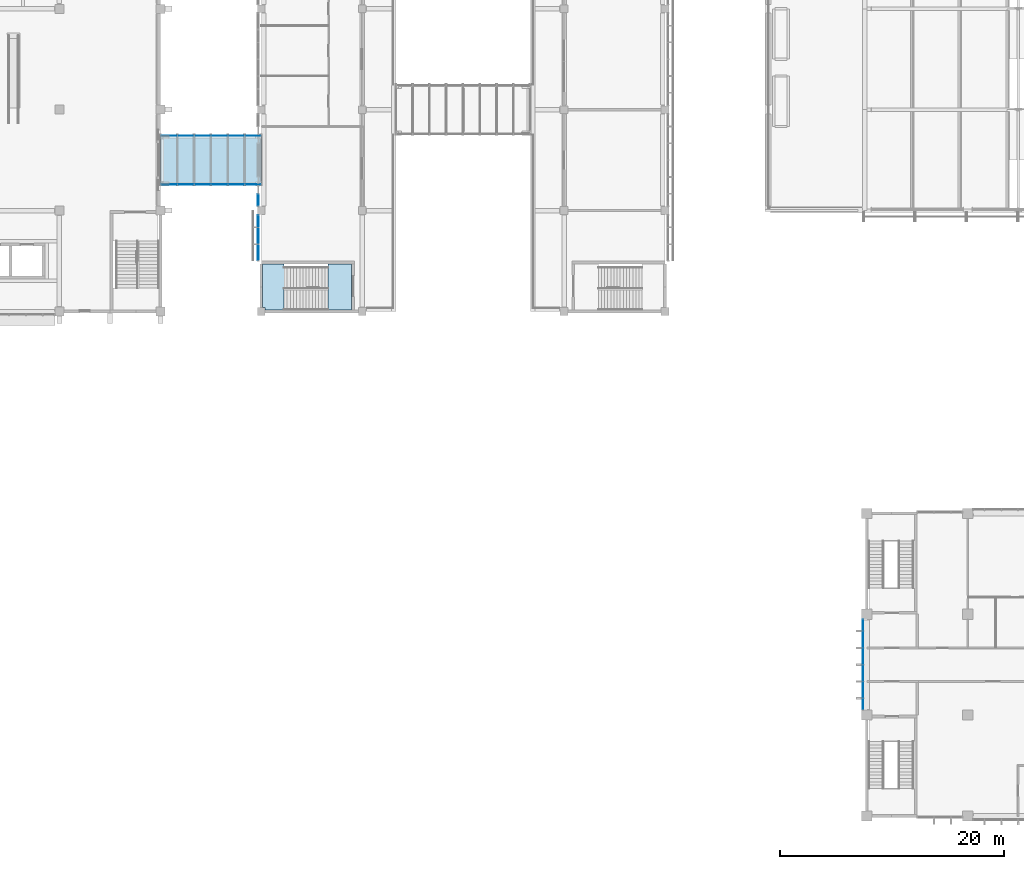
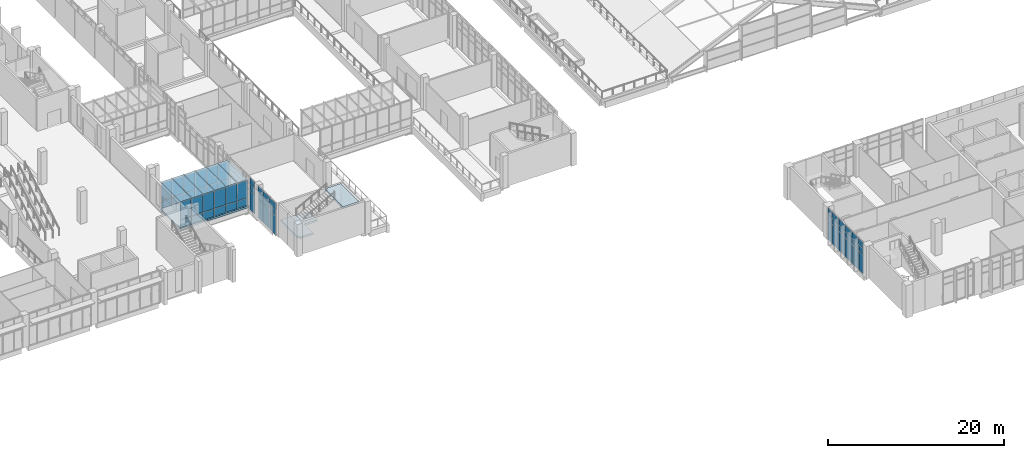
# One storey, part 52 of 106: 60 plates, 3 slabs, 7 elements without a shape of their own.
"""IFC4 building model written with IfcOpenShell, lengths in metres."""

from ifc_helpers import new_model, si_unit, direction, frame, origin, origin_2d, place, context, subcontext, project, spatial, polyline, rectangle, outline, extrude, material, layer, layer_set, type_object, element, aggregate, save


model = new_model("IFC4")

# Units and contexts
model_context = context("Model", 3, precision=1e-05, world=origin(), true_north=direction((0.0, 1.0)))
body_context = subcontext(model_context, "Body", "Model", "MODEL_VIEW")
ifc_project = project(units=[si_unit("LENGTHUNIT", "METRE"), si_unit("AREAUNIT", "SQUARE_METRE"), si_unit("VOLUMEUNIT", "CUBIC_METRE"), si_unit("PLANEANGLEUNIT", "RADIAN"), si_unit("MASSUNIT", "GRAM", prefix="KILO")], contexts=[model_context])

# Site, building, storey
site_placement = place(None, origin())
site = spatial("IfcSite", under=ifc_project, at=site_placement, CompositionType="ELEMENT")
building_placement = place(site_placement, origin())
building = spatial("IfcBuilding", under=site, at=building_placement, Name="Guidao Yard Department Store", CompositionType="ELEMENT")
storey_placement = place(building_placement, frame((0.0, 0.0, 10.5)))
storey = spatial("IfcBuildingStorey", under=building, at=storey_placement, Name="L02", CompositionType="ELEMENT", Elevation=10.5)

# Slab
ifc_material_1 = material(Name="Concrete C35", Category="concrete")
ifc_layer_1 = layer(ifc_material_1, 0.25)
ifc_layer_set_1 = layer_set([ifc_layer_1], Name="Bridge deck slab 250 C35")
slab_type_1 = type_object("IfcSlabType", Name="Bridge deck slab 250 C35", PredefinedType="FLOOR", material=ifc_layer_set_1)
slab_1_placement = place(storey_placement, frame((0.0, 0.0, -0.25)))
element("IfcSlab", 1, at=slab_1_placement, inside=storey, type_object=slab_type_1, Name="Slab BR03", PredefinedType="FLOOR", context=body_context, shape_type="SweptSolid", body=[
    extrude(outline(polyline([(63.014892578125, 56.25), (63.014892578125, 60.75), (72.0, 60.75), (72.0, 56.25), (63.014892578125, 56.25)])), origin(), (0.0, 0.0, 1.0), 0.25),
])

# Curtain wall, plates
ifc_material_2 = material(Name="Aluminium and glass", Category="aluminium")
ifc_layer_2 = layer(ifc_material_2, 0.159912109375)
ifc_layer_set_2 = layer_set([ifc_layer_2], Name="Bridge glazing CW5 1500 module")
curtain_wall_type_1 = type_object("IfcCurtainWallType", Name="Bridge glazing CW5 1500 module", PredefinedType="NOTDEFINED", material=ifc_layer_set_2)
curtain_wall_1_placement = place(storey_placement, origin())
curtain_wall_1 = element("IfcCurtainWall", 2, at=curtain_wall_1_placement, inside=storey, type_object=curtain_wall_type_1, Name="Bridge roof glazing BR03", PredefinedType="NOTDEFINED")
ifc_material_3 = material(Name="Laminated glass", Category="glass")
ifc_layer_3 = layer(ifc_material_3, 0.017578125)
ifc_layer_set_3 = layer_set([ifc_layer_3], Name="Bridge roof glass BG1 laminated 8+8 fritted")
plate_type_1 = type_object("IfcPlateType", Name="Bridge roof glass BG1 laminated 8+8 fritted", PredefinedType="CURTAIN_PANEL", material=ifc_layer_set_3)
plate_1_placement = place(storey_placement, frame((63.764892578125, 58.5, 3.671142578125), z_axis=(0.0, 0.0, 1.0), x_axis=(1.0, 0.0, 0.0)))
plate_1 = element("IfcPlate", 3, at=plate_1_placement, type_object=plate_type_1, Name="Bridge roof glass BR03", PredefinedType="CURTAIN_PANEL", context=body_context, shape_type="SweptSolid", body=[
    extrude(rectangle(XDim=1.43994140625, YDim=4.5, at=origin_2d()), origin(), (0.0, 0.0, 1.0), 0.017578125),
])
plate_2_placement = place(storey_placement, frame((65.264892578125, 58.5, 3.671142578125), z_axis=(0.0, 0.0, 1.0), x_axis=(1.0, 0.0, 0.0)))
plate_2 = element("IfcPlate", 4, at=plate_2_placement, type_object=plate_type_1, Name="Bridge roof glass BR03", PredefinedType="CURTAIN_PANEL", context=body_context, shape_type="SweptSolid", body=[
    extrude(rectangle(XDim=1.43994140625, YDim=4.5, at=origin_2d()), origin(), (0.0, 0.0, 1.0), 0.017578125),
])
plate_3_placement = place(storey_placement, frame((66.764892578125, 58.5, 3.671142578125), z_axis=(0.0, 0.0, 1.0), x_axis=(1.0, 0.0, 0.0)))
plate_3 = element("IfcPlate", 5, at=plate_3_placement, type_object=plate_type_1, Name="Bridge roof glass BR03", PredefinedType="CURTAIN_PANEL", context=body_context, shape_type="SweptSolid", body=[
    extrude(rectangle(XDim=1.43994140625, YDim=4.5, at=origin_2d()), origin(), (0.0, 0.0, 1.0), 0.017578125),
])
plate_4_placement = place(storey_placement, frame((68.264892578125, 58.5, 3.671142578125), z_axis=(0.0, 0.0, 1.0), x_axis=(1.0, 0.0, 0.0)))
plate_4 = element("IfcPlate", 6, at=plate_4_placement, type_object=plate_type_1, Name="Bridge roof glass BR03", PredefinedType="CURTAIN_PANEL", context=body_context, shape_type="SweptSolid", body=[
    extrude(rectangle(XDim=1.43994140625, YDim=4.5, at=origin_2d()), origin(), (0.0, 0.0, 1.0), 0.017578125),
])
plate_5_placement = place(storey_placement, frame((69.764892578125, 58.5, 3.671142578125), z_axis=(0.0, 0.0, 1.0), x_axis=(1.0, 0.0, 0.0)))
plate_5 = element("IfcPlate", 7, at=plate_5_placement, type_object=plate_type_1, Name="Bridge roof glass BR03", PredefinedType="CURTAIN_PANEL", context=body_context, shape_type="SweptSolid", body=[
    extrude(rectangle(XDim=1.43994140625, YDim=4.5, at=origin_2d()), origin(), (0.0, 0.0, 1.0), 0.017578125),
])
plate_6_placement = place(storey_placement, frame((71.257568359375, 58.5, 3.671142578125), z_axis=(0.0, 0.0, 1.0), x_axis=(1.0, 0.0, 0.0)))
plate_6 = element("IfcPlate", 8, at=plate_6_placement, type_object=plate_type_1, Name="Bridge roof glass BR03", PredefinedType="CURTAIN_PANEL", context=body_context, shape_type="SweptSolid", body=[
    extrude(rectangle(XDim=1.425048828125, YDim=4.5, at=origin_2d()), origin(), (0.0, 0.0, 1.0), 0.017578125),
])
aggregate(curtain_wall_1, [plate_1, plate_2, plate_3, plate_4, plate_5, plate_6])

ifc_material_4 = material(Name="Aluminium and glass", Category="aluminium")
ifc_layer_4 = layer(ifc_material_4, 0.159912109375)
ifc_layer_set_4 = layer_set([ifc_layer_4], Name="Shopfront curtain wall CW1 1500 module")
curtain_wall_type_2 = type_object("IfcCurtainWallType", Name="Shopfront curtain wall CW1 1500 module", PredefinedType="NOTDEFINED", material=ifc_layer_set_4)
curtain_wall_2_placement = place(storey_placement, origin())
curtain_wall_2 = element("IfcCurtainWall", 9, at=curtain_wall_2_placement, inside=storey, type_object=curtain_wall_type_2, Name="Arcade shop front", PredefinedType="NOTDEFINED")
ifc_material_5 = material(Name="Aluminium 6063-T5 faced insulated spandrel", Category="aluminium")
ifc_layer_5 = layer(ifc_material_5, 0.06005859375)
ifc_layer_set_5 = layer_set([ifc_layer_5], Name="Spandrel panel SP1 insulated opaque")
plate_type_2 = type_object("IfcPlateType", Name="Spandrel panel SP1 insulated opaque", PredefinedType="CURTAIN_PANEL", material=ifc_layer_set_5)
plate_7_placement = place(storey_placement, frame((71.719970703125, 50.264892578125, 3.6298828125), z_axis=(0.0, 0.0, 1.0), x_axis=(0.0, 1.0, 0.0)))
plate_7 = element("IfcPlate", 10, at=plate_7_placement, type_object=plate_type_2, Name="CW-AS-L02-01 panel 1.3", PredefinedType="CURTAIN_PANEL", context=body_context, shape_type="SweptSolid", body=[
    extrude(rectangle(XDim=1.409912109375, YDim=0.06005859375, at=origin_2d()), origin(), (0.0, 0.0, 1.0), 0.81005859375),
])
plate_8_placement = place(storey_placement, frame((71.719970703125, 51.75, 3.6298828125), z_axis=(0.0, 0.0, 1.0), x_axis=(0.0, 1.0, 0.0)))
plate_8 = element("IfcPlate", 11, at=plate_8_placement, type_object=plate_type_2, Name="CW-AS-L02-01 panel 2.3", PredefinedType="CURTAIN_PANEL", context=body_context, shape_type="SweptSolid", body=[
    extrude(rectangle(XDim=1.43994140625, YDim=0.06005859375, at=origin_2d()), origin(), (0.0, 0.0, 1.0), 0.81005859375),
])
plate_9_placement = place(storey_placement, frame((71.719970703125, 53.06005859375, 3.6298828125), z_axis=(0.0, 0.0, 1.0), x_axis=(0.0, 1.0, 0.0)))
plate_9 = element("IfcPlate", 12, at=plate_9_placement, type_object=plate_type_2, Name="CW-AS-L02-01 panel 3.3", PredefinedType="CURTAIN_PANEL", context=body_context, shape_type="SweptSolid", body=[
    extrude(rectangle(XDim=1.06005859375, YDim=0.06005859375, at=origin_2d()), origin(), (0.0, 0.0, 1.0), 0.81005859375),
])

# Curtain wall, plate
curtain_wall_3_placement = place(storey_placement, origin())
curtain_wall_3 = element("IfcCurtainWall", 13, at=curtain_wall_3_placement, inside=storey, type_object=curtain_wall_type_2, Name="Arcade shop front", PredefinedType="NOTDEFINED")
plate_10_placement = place(storey_placement, frame((71.719970703125, 54.93994140625, 3.6298828125), z_axis=(0.0, 0.0, 1.0), x_axis=(0.0, 1.0, 0.0)))
plate_10 = element("IfcPlate", 14, at=plate_10_placement, type_object=plate_type_2, Name="CW-AS-L02-02 panel 1.3", PredefinedType="CURTAIN_PANEL", context=body_context, shape_type="SweptSolid", body=[
    extrude(rectangle(XDim=1.06005859375, YDim=0.06005859375, at=origin_2d()), origin(), (0.0, 0.0, 1.0), 0.81005859375),
])

# Curtain wall, plates
ifc_material_6 = material(Name="Aluminium and glass", Category="aluminium")
ifc_layer_6 = layer(ifc_material_6, 0.159912109375)
ifc_layer_set_6 = layer_set([ifc_layer_6], Name="Unitised curtain wall CW4 1500 module")
curtain_wall_type_3 = type_object("IfcCurtainWallType", Name="Unitised curtain wall CW4 1500 module", PredefinedType="NOTDEFINED", material=ifc_layer_set_6)
curtain_wall_4_placement = place(storey_placement, origin())
curtain_wall_4 = element("IfcCurtainWall", 15, at=curtain_wall_4_placement, inside=storey, type_object=curtain_wall_type_3, Name="Unitised curtain wall", PredefinedType="NOTDEFINED")
plate_11_placement = place(storey_placement, frame((125.669921875, 9.989990234375, 3.6298828125), z_axis=(0.0, 0.0, 1.0), x_axis=(0.0, 1.0, 0.0)))
plate_11 = element("IfcPlate", 16, at=plate_11_placement, type_object=plate_type_2, Name="CW-OW-L02-05 panel 1.3", PredefinedType="CURTAIN_PANEL", context=body_context, shape_type="SweptSolid", body=[
    extrude(rectangle(XDim=0.9599609375, YDim=0.06005859375, at=origin_2d()), origin(), (0.0, 0.0, 1.0), 0.81005859375),
])
plate_12_placement = place(storey_placement, frame((125.669921875, 11.25, 3.6298828125), z_axis=(0.0, 0.0, 1.0), x_axis=(0.0, 1.0, 0.0)))
plate_12 = element("IfcPlate", 17, at=plate_12_placement, type_object=plate_type_2, Name="CW-OW-L02-05 panel 2.3", PredefinedType="CURTAIN_PANEL", context=body_context, shape_type="SweptSolid", body=[
    extrude(rectangle(XDim=1.43994140625, YDim=0.06005859375, at=origin_2d()), origin(), (0.0, 0.0, 1.0), 0.81005859375),
])
plate_13_placement = place(storey_placement, frame((125.669921875, 12.75, 3.6298828125), z_axis=(0.0, 0.0, 1.0), x_axis=(0.0, 1.0, 0.0)))
plate_13 = element("IfcPlate", 18, at=plate_13_placement, type_object=plate_type_2, Name="CW-OW-L02-05 panel 3.3", PredefinedType="CURTAIN_PANEL", context=body_context, shape_type="SweptSolid", body=[
    extrude(rectangle(XDim=1.43994140625, YDim=0.06005859375, at=origin_2d()), origin(), (0.0, 0.0, 1.0), 0.81005859375),
])
plate_14_placement = place(storey_placement, frame((125.669921875, 14.25, 3.6298828125), z_axis=(0.0, 0.0, 1.0), x_axis=(0.0, 1.0, 0.0)))
plate_14 = element("IfcPlate", 19, at=plate_14_placement, type_object=plate_type_2, Name="CW-OW-L02-05 panel 4.3", PredefinedType="CURTAIN_PANEL", context=body_context, shape_type="SweptSolid", body=[
    extrude(rectangle(XDim=1.43994140625, YDim=0.06005859375, at=origin_2d()), origin(), (0.0, 0.0, 1.0), 0.81005859375),
])
plate_15_placement = place(storey_placement, frame((125.669921875, 15.75, 3.6298828125), z_axis=(0.0, 0.0, 1.0), x_axis=(0.0, 1.0, 0.0)))
plate_15 = element("IfcPlate", 20, at=plate_15_placement, type_object=plate_type_2, Name="CW-OW-L02-05 panel 5.3", PredefinedType="CURTAIN_PANEL", context=body_context, shape_type="SweptSolid", body=[
    extrude(rectangle(XDim=1.43994140625, YDim=0.06005859375, at=origin_2d()), origin(), (0.0, 0.0, 1.0), 0.81005859375),
])
plate_16_placement = place(storey_placement, frame((125.669921875, 17.010009765625, 3.6298828125), z_axis=(0.0, 0.0, 1.0), x_axis=(0.0, 1.0, 0.0)))
plate_16 = element("IfcPlate", 21, at=plate_16_placement, type_object=plate_type_2, Name="CW-OW-L02-05 panel 6.3", PredefinedType="CURTAIN_PANEL", context=body_context, shape_type="SweptSolid", body=[
    extrude(rectangle(XDim=0.9599609375, YDim=0.06005859375, at=origin_2d()), origin(), (0.0, 0.0, 1.0), 0.81005859375),
])

# Stair, slabs
ifc_material_7 = material(Name="Concrete C35", Category="concrete")
stair_type = type_object("IfcStairType", Name="Stair half-turn two-flight 1800 wide 4.5 m rise", PredefinedType="HALF_TURN_STAIR", material=ifc_material_7)
stair_placement = place(storey_placement, origin())
stair = element("IfcStair", 22, at=stair_placement, inside=storey, type_object=stair_type, Name="Stair G1 L02 to L03", PredefinedType="HALF_TURN_STAIR")
ifc_material_8 = material(Name="Concrete C35", Category="concrete")
ifc_layer_7 = layer(ifc_material_8, 0.25)
ifc_layer_set_7 = layer_set([ifc_layer_7], Name="Stair landing RC 250 C35")
slab_type_2 = type_object("IfcSlabType", Name="Stair landing RC 250 C35", PredefinedType="LANDING", material=ifc_layer_set_7)
slab_2_placement = place(storey_placement, frame((0.0, 0.0, 2.0)))
slab_2 = element("IfcSlab", 23, at=slab_2_placement, type_object=slab_type_2, Name="SG1-L02 landing 1", PredefinedType="LANDING", context=body_context, shape_type="SweptSolid", body=[
    extrude(outline(polyline([(74.030029296875, 45.125), (72.35009765625, 45.125), (72.35009765625, 45.35009765625), (72.125, 45.35009765625), (72.125, 49.25), (74.030029296875, 49.25), (74.030029296875, 48.97509765625), (75.748046875, 48.97509765625), (75.748046875, 47.175048828125), (74.0400390625, 47.175048828125), (74.0400390625, 45.125), (74.030029296875, 45.125)])), origin(), (0.0, 0.0, 1.0), 0.25),
])
slab_3_placement = place(storey_placement, frame((0.0, 0.0, 4.25)))
slab_3 = element("IfcSlab", 24, at=slab_3_placement, type_object=slab_type_2, Name="SG1-L02 landing 2", PredefinedType="LANDING", context=body_context, shape_type="SweptSolid", body=[
    extrude(outline(polyline([(77.949951171875, 45.125), (77.949951171875, 47.175048828125), (77.93994140625, 47.175048828125), (77.93994140625, 49.25), (80.050048828125, 49.25), (80.050048828125, 47.175048828125), (80.050048828125, 45.125), (77.949951171875, 45.125)])), origin(), (0.0, 0.0, 1.0), 0.25),
])
aggregate(stair, [slab_2, slab_3])

# Plate
ifc_material_9 = material(Name="Laminated heat-soaked tempered glass", Category="glass")
ifc_layer_8 = layer(ifc_material_9, 0.017578125)
ifc_layer_set_8 = layer_set([ifc_layer_8], Name="Vision glass VG1 laminated heat-soaked tempered 8+8")
plate_type_3 = type_object("IfcPlateType", Name="Vision glass VG1 laminated heat-soaked tempered 8+8", PredefinedType="CURTAIN_PANEL", material=ifc_layer_set_8)
plate_17_placement = place(storey_placement, frame((71.719970703125, 50.264892578125, 0.06005859375), z_axis=(0.0, 0.0, 1.0), x_axis=(0.0, 1.0, 0.0)))
plate_17 = element("IfcPlate", 25, at=plate_17_placement, type_object=plate_type_3, Name="CW-AS-L02-01 panel 1.1", PredefinedType="CURTAIN_PANEL", context=body_context, shape_type="SweptSolid", body=[
    extrude(rectangle(XDim=1.409912109375, YDim=0.017578125, at=origin_2d()), origin(), (0.0, 0.0, 1.0), 2.610107421875),
])

plate_18_placement = place(storey_placement, frame((71.719970703125, 50.264892578125, 2.72998046875), z_axis=(0.0, 0.0, 1.0), x_axis=(0.0, 1.0, 0.0)))
plate_18 = element("IfcPlate", 26, at=plate_18_placement, type_object=plate_type_3, Name="CW-AS-L02-01 panel 1.2", PredefinedType="CURTAIN_PANEL", context=body_context, shape_type="SweptSolid", body=[
    extrude(rectangle(XDim=1.409912109375, YDim=0.017578125, at=origin_2d()), origin(), (0.0, 0.0, 1.0), 0.840087890625),
])

plate_19_placement = place(storey_placement, frame((71.719970703125, 51.75, 0.06005859375), z_axis=(0.0, 0.0, 1.0), x_axis=(0.0, 1.0, 0.0)))
plate_19 = element("IfcPlate", 27, at=plate_19_placement, type_object=plate_type_3, Name="CW-AS-L02-01 panel 2.1", PredefinedType="CURTAIN_PANEL", context=body_context, shape_type="SweptSolid", body=[
    extrude(rectangle(XDim=1.43994140625, YDim=0.017578125, at=origin_2d()), origin(), (0.0, 0.0, 1.0), 2.610107421875),
])

plate_20_placement = place(storey_placement, frame((71.719970703125, 51.75, 2.72998046875), z_axis=(0.0, 0.0, 1.0), x_axis=(0.0, 1.0, 0.0)))
plate_20 = element("IfcPlate", 28, at=plate_20_placement, type_object=plate_type_3, Name="CW-AS-L02-01 panel 2.2", PredefinedType="CURTAIN_PANEL", context=body_context, shape_type="SweptSolid", body=[
    extrude(rectangle(XDim=1.43994140625, YDim=0.017578125, at=origin_2d()), origin(), (0.0, 0.0, 1.0), 0.840087890625),
])

plate_21_placement = place(storey_placement, frame((71.719970703125, 53.06005859375, 0.06005859375), z_axis=(0.0, 0.0, 1.0), x_axis=(0.0, 1.0, 0.0)))
plate_21 = element("IfcPlate", 29, at=plate_21_placement, type_object=plate_type_3, Name="CW-AS-L02-01 panel 3.1", PredefinedType="CURTAIN_PANEL", context=body_context, shape_type="SweptSolid", body=[
    extrude(rectangle(XDim=1.06005859375, YDim=0.017578125, at=origin_2d()), origin(), (0.0, 0.0, 1.0), 2.610107421875),
])

plate_22_placement = place(storey_placement, frame((71.719970703125, 53.06005859375, 2.72998046875), z_axis=(0.0, 0.0, 1.0), x_axis=(0.0, 1.0, 0.0)))
plate_22 = element("IfcPlate", 30, at=plate_22_placement, type_object=plate_type_3, Name="CW-AS-L02-01 panel 3.2", PredefinedType="CURTAIN_PANEL", context=body_context, shape_type="SweptSolid", body=[
    extrude(rectangle(XDim=1.06005859375, YDim=0.017578125, at=origin_2d()), origin(), (0.0, 0.0, 1.0), 0.840087890625),
])

aggregate(curtain_wall_2, [plate_17, plate_18, plate_7, plate_19, plate_20, plate_8, plate_21, plate_22, plate_9])

plate_23_placement = place(storey_placement, frame((71.719970703125, 54.93994140625, 0.06005859375), z_axis=(0.0, 0.0, 1.0), x_axis=(0.0, 1.0, 0.0)))
plate_23 = element("IfcPlate", 31, at=plate_23_placement, type_object=plate_type_3, Name="CW-AS-L02-02 panel 1.1", PredefinedType="CURTAIN_PANEL", context=body_context, shape_type="SweptSolid", body=[
    extrude(rectangle(XDim=1.06005859375, YDim=0.017578125, at=origin_2d()), origin(), (0.0, 0.0, 1.0), 2.610107421875),
])

plate_24_placement = place(storey_placement, frame((71.719970703125, 54.93994140625, 2.72998046875), z_axis=(0.0, 0.0, 1.0), x_axis=(0.0, 1.0, 0.0)))
plate_24 = element("IfcPlate", 32, at=plate_24_placement, type_object=plate_type_3, Name="CW-AS-L02-02 panel 1.2", PredefinedType="CURTAIN_PANEL", context=body_context, shape_type="SweptSolid", body=[
    extrude(rectangle(XDim=1.06005859375, YDim=0.017578125, at=origin_2d()), origin(), (0.0, 0.0, 1.0), 0.840087890625),
])

aggregate(curtain_wall_3, [plate_23, plate_24, plate_10])

plate_25_placement = place(storey_placement, frame((125.669921875, 9.989990234375, 0.06005859375), z_axis=(0.0, 0.0, 1.0), x_axis=(0.0, 1.0, 0.0)))
plate_25 = element("IfcPlate", 33, at=plate_25_placement, type_object=plate_type_3, Name="CW-OW-L02-05 panel 1.1", PredefinedType="CURTAIN_PANEL", context=body_context, shape_type="SweptSolid", body=[
    extrude(rectangle(XDim=0.9599609375, YDim=0.017578125, at=origin_2d()), origin(), (0.0, 0.0, 1.0), 2.610107421875),
])

plate_26_placement = place(storey_placement, frame((125.669921875, 9.989990234375, 2.72998046875), z_axis=(0.0, 0.0, 1.0), x_axis=(0.0, 1.0, 0.0)))
plate_26 = element("IfcPlate", 34, at=plate_26_placement, type_object=plate_type_3, Name="CW-OW-L02-05 panel 1.2", PredefinedType="CURTAIN_PANEL", context=body_context, shape_type="SweptSolid", body=[
    extrude(rectangle(XDim=0.9599609375, YDim=0.017578125, at=origin_2d()), origin(), (0.0, 0.0, 1.0), 0.840087890625),
])

plate_27_placement = place(storey_placement, frame((125.669921875, 11.25, 0.06005859375), z_axis=(0.0, 0.0, 1.0), x_axis=(0.0, 1.0, 0.0)))
plate_27 = element("IfcPlate", 35, at=plate_27_placement, type_object=plate_type_3, Name="CW-OW-L02-05 panel 2.1", PredefinedType="CURTAIN_PANEL", context=body_context, shape_type="SweptSolid", body=[
    extrude(rectangle(XDim=1.43994140625, YDim=0.017578125, at=origin_2d()), origin(), (0.0, 0.0, 1.0), 2.610107421875),
])

plate_28_placement = place(storey_placement, frame((125.669921875, 11.25, 2.72998046875), z_axis=(0.0, 0.0, 1.0), x_axis=(0.0, 1.0, 0.0)))
plate_28 = element("IfcPlate", 36, at=plate_28_placement, type_object=plate_type_3, Name="CW-OW-L02-05 panel 2.2", PredefinedType="CURTAIN_PANEL", context=body_context, shape_type="SweptSolid", body=[
    extrude(rectangle(XDim=1.43994140625, YDim=0.017578125, at=origin_2d()), origin(), (0.0, 0.0, 1.0), 0.840087890625),
])

plate_29_placement = place(storey_placement, frame((125.669921875, 12.75, 0.06005859375), z_axis=(0.0, 0.0, 1.0), x_axis=(0.0, 1.0, 0.0)))
plate_29 = element("IfcPlate", 37, at=plate_29_placement, type_object=plate_type_3, Name="CW-OW-L02-05 panel 3.1", PredefinedType="CURTAIN_PANEL", context=body_context, shape_type="SweptSolid", body=[
    extrude(rectangle(XDim=1.43994140625, YDim=0.017578125, at=origin_2d()), origin(), (0.0, 0.0, 1.0), 2.610107421875),
])

plate_30_placement = place(storey_placement, frame((125.669921875, 12.75, 2.72998046875), z_axis=(0.0, 0.0, 1.0), x_axis=(0.0, 1.0, 0.0)))
plate_30 = element("IfcPlate", 38, at=plate_30_placement, type_object=plate_type_3, Name="CW-OW-L02-05 panel 3.2", PredefinedType="CURTAIN_PANEL", context=body_context, shape_type="SweptSolid", body=[
    extrude(rectangle(XDim=1.43994140625, YDim=0.017578125, at=origin_2d()), origin(), (0.0, 0.0, 1.0), 0.840087890625),
])

plate_31_placement = place(storey_placement, frame((125.669921875, 14.25, 0.06005859375), z_axis=(0.0, 0.0, 1.0), x_axis=(0.0, 1.0, 0.0)))
plate_31 = element("IfcPlate", 39, at=plate_31_placement, type_object=plate_type_3, Name="CW-OW-L02-05 panel 4.1", PredefinedType="CURTAIN_PANEL", context=body_context, shape_type="SweptSolid", body=[
    extrude(rectangle(XDim=1.43994140625, YDim=0.017578125, at=origin_2d()), origin(), (0.0, 0.0, 1.0), 2.610107421875),
])

plate_32_placement = place(storey_placement, frame((125.669921875, 14.25, 2.72998046875), z_axis=(0.0, 0.0, 1.0), x_axis=(0.0, 1.0, 0.0)))
plate_32 = element("IfcPlate", 40, at=plate_32_placement, type_object=plate_type_3, Name="CW-OW-L02-05 panel 4.2", PredefinedType="CURTAIN_PANEL", context=body_context, shape_type="SweptSolid", body=[
    extrude(rectangle(XDim=1.43994140625, YDim=0.017578125, at=origin_2d()), origin(), (0.0, 0.0, 1.0), 0.840087890625),
])

plate_33_placement = place(storey_placement, frame((125.669921875, 15.75, 0.06005859375), z_axis=(0.0, 0.0, 1.0), x_axis=(0.0, 1.0, 0.0)))
plate_33 = element("IfcPlate", 41, at=plate_33_placement, type_object=plate_type_3, Name="CW-OW-L02-05 panel 5.1", PredefinedType="CURTAIN_PANEL", context=body_context, shape_type="SweptSolid", body=[
    extrude(rectangle(XDim=1.43994140625, YDim=0.017578125, at=origin_2d()), origin(), (0.0, 0.0, 1.0), 2.610107421875),
])

plate_34_placement = place(storey_placement, frame((125.669921875, 15.75, 2.72998046875), z_axis=(0.0, 0.0, 1.0), x_axis=(0.0, 1.0, 0.0)))
plate_34 = element("IfcPlate", 42, at=plate_34_placement, type_object=plate_type_3, Name="CW-OW-L02-05 panel 5.2", PredefinedType="CURTAIN_PANEL", context=body_context, shape_type="SweptSolid", body=[
    extrude(rectangle(XDim=1.43994140625, YDim=0.017578125, at=origin_2d()), origin(), (0.0, 0.0, 1.0), 0.840087890625),
])

plate_35_placement = place(storey_placement, frame((125.669921875, 17.010009765625, 0.06005859375), z_axis=(0.0, 0.0, 1.0), x_axis=(0.0, 1.0, 0.0)))
plate_35 = element("IfcPlate", 43, at=plate_35_placement, type_object=plate_type_3, Name="CW-OW-L02-05 panel 6.1", PredefinedType="CURTAIN_PANEL", context=body_context, shape_type="SweptSolid", body=[
    extrude(rectangle(XDim=0.9599609375, YDim=0.017578125, at=origin_2d()), origin(), (0.0, 0.0, 1.0), 2.610107421875),
])

plate_36_placement = place(storey_placement, frame((125.669921875, 17.010009765625, 2.72998046875), z_axis=(0.0, 0.0, 1.0), x_axis=(0.0, 1.0, 0.0)))
plate_36 = element("IfcPlate", 44, at=plate_36_placement, type_object=plate_type_3, Name="CW-OW-L02-05 panel 6.2", PredefinedType="CURTAIN_PANEL", context=body_context, shape_type="SweptSolid", body=[
    extrude(rectangle(XDim=0.9599609375, YDim=0.017578125, at=origin_2d()), origin(), (0.0, 0.0, 1.0), 0.840087890625),
])

aggregate(curtain_wall_4, [plate_25, plate_26, plate_11, plate_27, plate_28, plate_12, plate_29, plate_30, plate_13, plate_31, plate_32, plate_14, plate_33, plate_34, plate_15, plate_35, plate_36, plate_16])

# Curtain wall, plates
curtain_wall_5_placement = place(storey_placement, origin())
curtain_wall_5 = element("IfcCurtainWall", 45, at=curtain_wall_5_placement, inside=storey, type_object=curtain_wall_type_1, Name="Bridge glazing BR03 S", PredefinedType="NOTDEFINED")
plate_37_placement = place(storey_placement, frame((63.780029296875, 56.330078125, 0.06005859375), z_axis=(0.0, 0.0, 1.0), x_axis=(-1.0, 0.0, 0.0)))
plate_37 = element("IfcPlate", 46, at=plate_37_placement, type_object=plate_type_3, Name="CW-S-L02-01 panel 1.1", PredefinedType="CURTAIN_PANEL", context=body_context, shape_type="SweptSolid", body=[
    extrude(rectangle(XDim=1.409912109375, YDim=0.017578125, at=origin_2d()), origin(), (0.0, 0.0, 1.0), 1.010009765625),
])
plate_38_placement = place(storey_placement, frame((63.780029296875, 56.330078125, 1.1298828125), z_axis=(0.0, 0.0, 1.0), x_axis=(-1.0, 0.0, 0.0)))
plate_38 = element("IfcPlate", 47, at=plate_38_placement, type_object=plate_type_3, Name="CW-S-L02-01 panel 1.2", PredefinedType="CURTAIN_PANEL", context=body_context, shape_type="SweptSolid", body=[
    extrude(rectangle(XDim=1.409912109375, YDim=0.017578125, at=origin_2d()), origin(), (0.0, 0.0, 1.0), 2.409912109375),
])
plate_39_placement = place(storey_placement, frame((65.264892578125, 56.330078125, 0.06005859375), z_axis=(0.0, 0.0, 1.0), x_axis=(-1.0, 0.0, 0.0)))
plate_39 = element("IfcPlate", 48, at=plate_39_placement, type_object=plate_type_3, Name="CW-S-L02-01 panel 2.1", PredefinedType="CURTAIN_PANEL", context=body_context, shape_type="SweptSolid", body=[
    extrude(rectangle(XDim=1.43994140625, YDim=0.017578125, at=origin_2d()), origin(), (0.0, 0.0, 1.0), 1.010009765625),
])
plate_40_placement = place(storey_placement, frame((65.264892578125, 56.330078125, 1.1298828125), z_axis=(0.0, 0.0, 1.0), x_axis=(-1.0, 0.0, 0.0)))
plate_40 = element("IfcPlate", 49, at=plate_40_placement, type_object=plate_type_3, Name="CW-S-L02-01 panel 2.2", PredefinedType="CURTAIN_PANEL", context=body_context, shape_type="SweptSolid", body=[
    extrude(rectangle(XDim=1.43994140625, YDim=0.017578125, at=origin_2d()), origin(), (0.0, 0.0, 1.0), 2.409912109375),
])
plate_41_placement = place(storey_placement, frame((66.764892578125, 56.330078125, 0.06005859375), z_axis=(0.0, 0.0, 1.0), x_axis=(-1.0, 0.0, 0.0)))
plate_41 = element("IfcPlate", 50, at=plate_41_placement, type_object=plate_type_3, Name="CW-S-L02-01 panel 3.1", PredefinedType="CURTAIN_PANEL", context=body_context, shape_type="SweptSolid", body=[
    extrude(rectangle(XDim=1.43994140625, YDim=0.017578125, at=origin_2d()), origin(), (0.0, 0.0, 1.0), 1.010009765625),
])
plate_42_placement = place(storey_placement, frame((66.764892578125, 56.330078125, 1.1298828125), z_axis=(0.0, 0.0, 1.0), x_axis=(-1.0, 0.0, 0.0)))
plate_42 = element("IfcPlate", 51, at=plate_42_placement, type_object=plate_type_3, Name="CW-S-L02-01 panel 3.2", PredefinedType="CURTAIN_PANEL", context=body_context, shape_type="SweptSolid", body=[
    extrude(rectangle(XDim=1.43994140625, YDim=0.017578125, at=origin_2d()), origin(), (0.0, 0.0, 1.0), 2.409912109375),
])
plate_43_placement = place(storey_placement, frame((68.264892578125, 56.330078125, 0.06005859375), z_axis=(0.0, 0.0, 1.0), x_axis=(-1.0, 0.0, 0.0)))
plate_43 = element("IfcPlate", 52, at=plate_43_placement, type_object=plate_type_3, Name="CW-S-L02-01 panel 4.1", PredefinedType="CURTAIN_PANEL", context=body_context, shape_type="SweptSolid", body=[
    extrude(rectangle(XDim=1.43994140625, YDim=0.017578125, at=origin_2d()), origin(), (0.0, 0.0, 1.0), 1.010009765625),
])
plate_44_placement = place(storey_placement, frame((68.264892578125, 56.330078125, 1.1298828125), z_axis=(0.0, 0.0, 1.0), x_axis=(-1.0, 0.0, 0.0)))
plate_44 = element("IfcPlate", 53, at=plate_44_placement, type_object=plate_type_3, Name="CW-S-L02-01 panel 4.2", PredefinedType="CURTAIN_PANEL", context=body_context, shape_type="SweptSolid", body=[
    extrude(rectangle(XDim=1.43994140625, YDim=0.017578125, at=origin_2d()), origin(), (0.0, 0.0, 1.0), 2.409912109375),
])
plate_45_placement = place(storey_placement, frame((69.764892578125, 56.330078125, 0.06005859375), z_axis=(0.0, 0.0, 1.0), x_axis=(-1.0, 0.0, 0.0)))
plate_45 = element("IfcPlate", 54, at=plate_45_placement, type_object=plate_type_3, Name="CW-S-L02-01 panel 5.1", PredefinedType="CURTAIN_PANEL", context=body_context, shape_type="SweptSolid", body=[
    extrude(rectangle(XDim=1.43994140625, YDim=0.017578125, at=origin_2d()), origin(), (0.0, 0.0, 1.0), 1.010009765625),
])
plate_46_placement = place(storey_placement, frame((69.764892578125, 56.330078125, 1.1298828125), z_axis=(0.0, 0.0, 1.0), x_axis=(-1.0, 0.0, 0.0)))
plate_46 = element("IfcPlate", 55, at=plate_46_placement, type_object=plate_type_3, Name="CW-S-L02-01 panel 5.2", PredefinedType="CURTAIN_PANEL", context=body_context, shape_type="SweptSolid", body=[
    extrude(rectangle(XDim=1.43994140625, YDim=0.017578125, at=origin_2d()), origin(), (0.0, 0.0, 1.0), 2.409912109375),
])
plate_47_placement = place(storey_placement, frame((71.242431640625, 56.330078125, 0.06005859375), z_axis=(0.0, 0.0, 1.0), x_axis=(-1.0, 0.0, 0.0)))
plate_47 = element("IfcPlate", 56, at=plate_47_placement, type_object=plate_type_3, Name="CW-S-L02-01 panel 6.1", PredefinedType="CURTAIN_PANEL", context=body_context, shape_type="SweptSolid", body=[
    extrude(rectangle(XDim=1.39501953125, YDim=0.017578125, at=origin_2d()), origin(), (0.0, 0.0, 1.0), 1.010009765625),
])
plate_48_placement = place(storey_placement, frame((71.242431640625, 56.330078125, 1.1298828125), z_axis=(0.0, 0.0, 1.0), x_axis=(-1.0, 0.0, 0.0)))
plate_48 = element("IfcPlate", 57, at=plate_48_placement, type_object=plate_type_3, Name="CW-S-L02-01 panel 6.2", PredefinedType="CURTAIN_PANEL", context=body_context, shape_type="SweptSolid", body=[
    extrude(rectangle(XDim=1.39501953125, YDim=0.017578125, at=origin_2d()), origin(), (0.0, 0.0, 1.0), 2.409912109375),
])
aggregate(curtain_wall_5, [plate_37, plate_38, plate_39, plate_40, plate_41, plate_42, plate_43, plate_44, plate_45, plate_46, plate_47, plate_48])

curtain_wall_6_placement = place(storey_placement, origin())
curtain_wall_6 = element("IfcCurtainWall", 58, at=curtain_wall_6_placement, inside=storey, type_object=curtain_wall_type_1, Name="Bridge glazing BR03 N", PredefinedType="NOTDEFINED")
plate_49_placement = place(storey_placement, frame((63.780029296875, 60.669921875, 0.06005859375), z_axis=(0.0, 0.0, 1.0), x_axis=(1.0, 0.0, 0.0)))
plate_49 = element("IfcPlate", 59, at=plate_49_placement, type_object=plate_type_3, Name="CW-N-L02-02 panel 1.1", PredefinedType="CURTAIN_PANEL", context=body_context, shape_type="SweptSolid", body=[
    extrude(rectangle(XDim=1.409912109375, YDim=0.017578125, at=origin_2d()), origin(), (0.0, 0.0, 1.0), 1.010009765625),
])
plate_50_placement = place(storey_placement, frame((63.780029296875, 60.669921875, 1.1298828125), z_axis=(0.0, 0.0, 1.0), x_axis=(1.0, 0.0, 0.0)))
plate_50 = element("IfcPlate", 60, at=plate_50_placement, type_object=plate_type_3, Name="CW-N-L02-02 panel 1.2", PredefinedType="CURTAIN_PANEL", context=body_context, shape_type="SweptSolid", body=[
    extrude(rectangle(XDim=1.409912109375, YDim=0.017578125, at=origin_2d()), origin(), (0.0, 0.0, 1.0), 2.409912109375),
])
plate_51_placement = place(storey_placement, frame((65.264892578125, 60.669921875, 0.06005859375), z_axis=(0.0, 0.0, 1.0), x_axis=(1.0, 0.0, 0.0)))
plate_51 = element("IfcPlate", 61, at=plate_51_placement, type_object=plate_type_3, Name="CW-N-L02-02 panel 2.1", PredefinedType="CURTAIN_PANEL", context=body_context, shape_type="SweptSolid", body=[
    extrude(rectangle(XDim=1.43994140625, YDim=0.017578125, at=origin_2d()), origin(), (0.0, 0.0, 1.0), 1.010009765625),
])
plate_52_placement = place(storey_placement, frame((65.264892578125, 60.669921875, 1.1298828125), z_axis=(0.0, 0.0, 1.0), x_axis=(1.0, 0.0, 0.0)))
plate_52 = element("IfcPlate", 62, at=plate_52_placement, type_object=plate_type_3, Name="CW-N-L02-02 panel 2.2", PredefinedType="CURTAIN_PANEL", context=body_context, shape_type="SweptSolid", body=[
    extrude(rectangle(XDim=1.43994140625, YDim=0.017578125, at=origin_2d()), origin(), (0.0, 0.0, 1.0), 2.409912109375),
])
plate_53_placement = place(storey_placement, frame((66.764892578125, 60.669921875, 0.06005859375), z_axis=(0.0, 0.0, 1.0), x_axis=(1.0, 0.0, 0.0)))
plate_53 = element("IfcPlate", 63, at=plate_53_placement, type_object=plate_type_3, Name="CW-N-L02-02 panel 3.1", PredefinedType="CURTAIN_PANEL", context=body_context, shape_type="SweptSolid", body=[
    extrude(rectangle(XDim=1.43994140625, YDim=0.017578125, at=origin_2d()), origin(), (0.0, 0.0, 1.0), 1.010009765625),
])
plate_54_placement = place(storey_placement, frame((66.764892578125, 60.669921875, 1.1298828125), z_axis=(0.0, 0.0, 1.0), x_axis=(1.0, 0.0, 0.0)))
plate_54 = element("IfcPlate", 64, at=plate_54_placement, type_object=plate_type_3, Name="CW-N-L02-02 panel 3.2", PredefinedType="CURTAIN_PANEL", context=body_context, shape_type="SweptSolid", body=[
    extrude(rectangle(XDim=1.43994140625, YDim=0.017578125, at=origin_2d()), origin(), (0.0, 0.0, 1.0), 2.409912109375),
])
plate_55_placement = place(storey_placement, frame((68.264892578125, 60.669921875, 0.06005859375), z_axis=(0.0, 0.0, 1.0), x_axis=(1.0, 0.0, 0.0)))
plate_55 = element("IfcPlate", 65, at=plate_55_placement, type_object=plate_type_3, Name="CW-N-L02-02 panel 4.1", PredefinedType="CURTAIN_PANEL", context=body_context, shape_type="SweptSolid", body=[
    extrude(rectangle(XDim=1.43994140625, YDim=0.017578125, at=origin_2d()), origin(), (0.0, 0.0, 1.0), 1.010009765625),
])
plate_56_placement = place(storey_placement, frame((68.264892578125, 60.669921875, 1.1298828125), z_axis=(0.0, 0.0, 1.0), x_axis=(1.0, 0.0, 0.0)))
plate_56 = element("IfcPlate", 66, at=plate_56_placement, type_object=plate_type_3, Name="CW-N-L02-02 panel 4.2", PredefinedType="CURTAIN_PANEL", context=body_context, shape_type="SweptSolid", body=[
    extrude(rectangle(XDim=1.43994140625, YDim=0.017578125, at=origin_2d()), origin(), (0.0, 0.0, 1.0), 2.409912109375),
])
plate_57_placement = place(storey_placement, frame((69.764892578125, 60.669921875, 0.06005859375), z_axis=(0.0, 0.0, 1.0), x_axis=(1.0, 0.0, 0.0)))
plate_57 = element("IfcPlate", 67, at=plate_57_placement, type_object=plate_type_3, Name="CW-N-L02-02 panel 5.1", PredefinedType="CURTAIN_PANEL", context=body_context, shape_type="SweptSolid", body=[
    extrude(rectangle(XDim=1.43994140625, YDim=0.017578125, at=origin_2d()), origin(), (0.0, 0.0, 1.0), 1.010009765625),
])
plate_58_placement = place(storey_placement, frame((69.764892578125, 60.669921875, 1.1298828125), z_axis=(0.0, 0.0, 1.0), x_axis=(1.0, 0.0, 0.0)))
plate_58 = element("IfcPlate", 68, at=plate_58_placement, type_object=plate_type_3, Name="CW-N-L02-02 panel 5.2", PredefinedType="CURTAIN_PANEL", context=body_context, shape_type="SweptSolid", body=[
    extrude(rectangle(XDim=1.43994140625, YDim=0.017578125, at=origin_2d()), origin(), (0.0, 0.0, 1.0), 2.409912109375),
])
plate_59_placement = place(storey_placement, frame((71.242431640625, 60.669921875, 0.06005859375), z_axis=(0.0, 0.0, 1.0), x_axis=(1.0, 0.0, 0.0)))
plate_59 = element("IfcPlate", 69, at=plate_59_placement, type_object=plate_type_3, Name="CW-N-L02-02 panel 6.1", PredefinedType="CURTAIN_PANEL", context=body_context, shape_type="SweptSolid", body=[
    extrude(rectangle(XDim=1.39501953125, YDim=0.017578125, at=origin_2d()), origin(), (0.0, 0.0, 1.0), 1.010009765625),
])
plate_60_placement = place(storey_placement, frame((71.242431640625, 60.669921875, 1.1298828125), z_axis=(0.0, 0.0, 1.0), x_axis=(1.0, 0.0, 0.0)))
plate_60 = element("IfcPlate", 70, at=plate_60_placement, type_object=plate_type_3, Name="CW-N-L02-02 panel 6.2", PredefinedType="CURTAIN_PANEL", context=body_context, shape_type="SweptSolid", body=[
    extrude(rectangle(XDim=1.39501953125, YDim=0.017578125, at=origin_2d()), origin(), (0.0, 0.0, 1.0), 2.409912109375),
])
aggregate(curtain_wall_6, [plate_49, plate_50, plate_51, plate_52, plate_53, plate_54, plate_55, plate_56, plate_57, plate_58, plate_59, plate_60])

save(model, "model.ifc")
